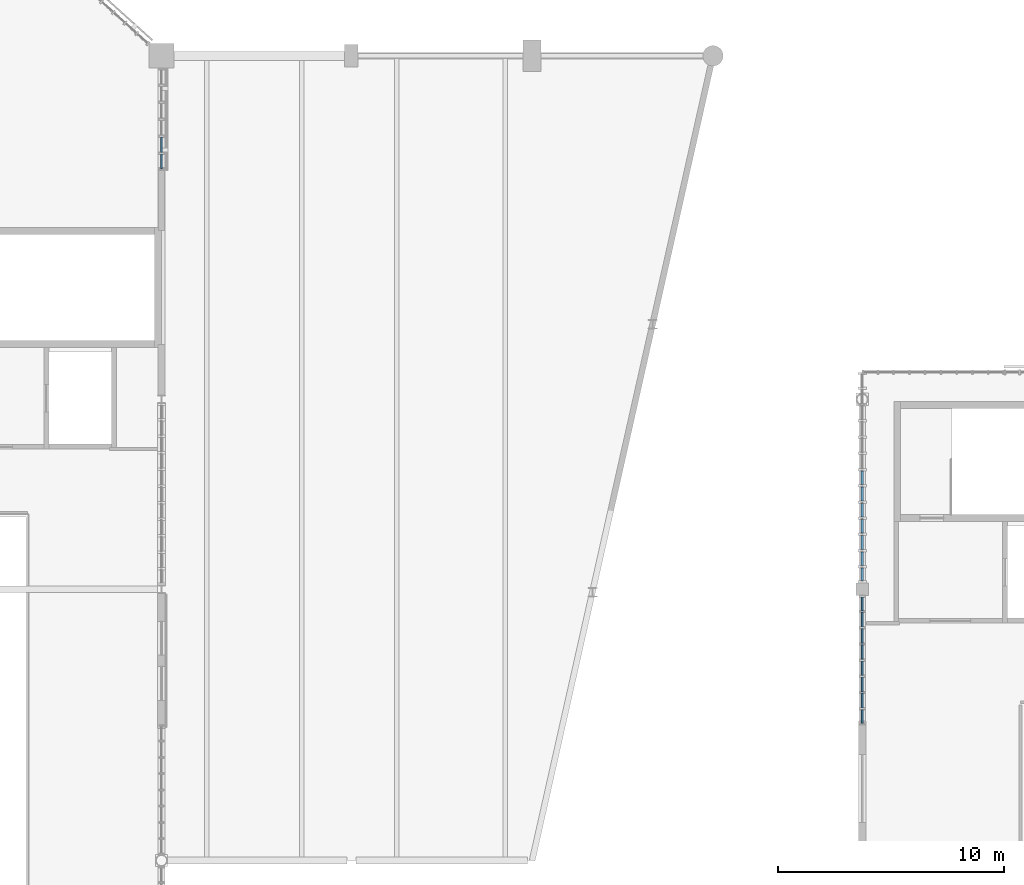
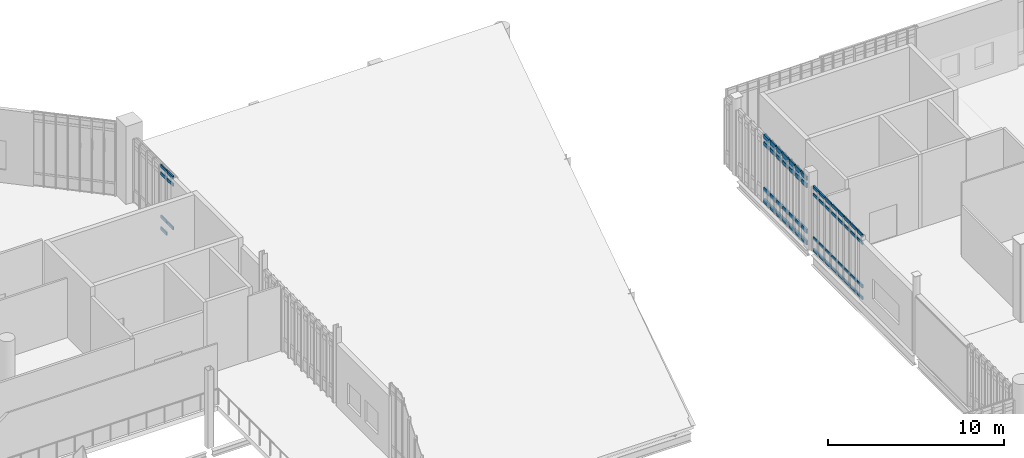
# One storey, part 59 of 135: 67 members, 3 elements without a shape of their own.
"""IFC4 building model written with IfcOpenShell, lengths in metres."""

from ifc_helpers import new_model, si_unit, direction, frame, origin, origin_2d, place, context, subcontext, project, spatial, rectangle, extrude, material, material_profile, profile_set, type_object, element, aggregate, save


model = new_model("IFC4")

# Units and contexts
model_context = context("Model", 3, precision=1e-05, world=origin(), true_north=direction((0.0, 1.0)))
body_context = subcontext(model_context, "Body", "Model", "MODEL_VIEW")
ifc_project = project(units=[si_unit("LENGTHUNIT", "METRE"), si_unit("AREAUNIT", "SQUARE_METRE"), si_unit("VOLUMEUNIT", "CUBIC_METRE"), si_unit("PLANEANGLEUNIT", "RADIAN"), si_unit("MASSUNIT", "GRAM", prefix="KILO")], contexts=[model_context])

# Site, building, storey
site_placement = place(None, origin())
site = spatial("IfcSite", under=ifc_project, at=site_placement, CompositionType="ELEMENT")
building_placement = place(site_placement, origin())
building = spatial("IfcBuilding", under=site, at=building_placement, Name="Larkvane Passage Sports Hall", CompositionType="ELEMENT")
storey_placement = place(building_placement, frame((0.0, 0.0, 16.800048828125)))
storey = spatial("IfcBuildingStorey", under=building, at=storey_placement, Name="L03", CompositionType="ELEMENT", Elevation=16.800048828125)

# Curtain wall, members
ifc_material_1 = material(Name="Thermally broken aluminium and low-E glazing", Category="aluminium")
curtain_wall_type_1 = type_object("IfcCurtainWallType", Name="CW-CLINIC", PredefinedType="USERDEFINED", material=ifc_material_1)
curtain_wall_1_placement = place(storey_placement, origin())
curtain_wall_1 = element("IfcCurtainWall", 1, at=curtain_wall_1_placement, inside=storey, type_object=curtain_wall_type_1, Name="Curtain wall CW5-L03-103", ObjectType="UNITISED CURTAIN WALL", PredefinedType="USERDEFINED")
ifc_material_2 = material(Name="Anodised aluminium 6063-T6", Category="aluminium")
ifc_material_profile_1 = material_profile(ifc_material_2, rectangle(XDim=0.110107421875, YDim=0.2900390625, at=origin_2d()), Name="ALU-TRN-110x290")
ifc_profile_set_1 = profile_set([ifc_material_profile_1], Name="Anodised aluminium 6063-T6")
member_type_1 = type_object("IfcMemberType", Name="CW-TRN-110x290", PredefinedType="USERDEFINED", material=ifc_profile_set_1)
member_1_placement = place(storey_placement, frame((124.60009765625, 75.98095703125, 0.054931640625), z_axis=(0.0, 1.0, 0.0), x_axis=(-1.0, 0.0, 0.0)))
member_1 = element("IfcMember", 2, at=member_1_placement, type_object=member_type_1, Name="CW-05 transom 1.1", ObjectType="TRANSOM", PredefinedType="USERDEFINED", context=body_context, shape_type="SweptSolid", body=[
    extrude(rectangle(XDim=0.110107421875, YDim=0.2900390625, at=origin_2d()), origin(), (0.0, 0.0, 1.0), 0.552734375),
])
member_2_placement = place(storey_placement, frame((124.60009765625, 75.98095703125, 0.849853515625), z_axis=(0.0, 1.0, 0.0), x_axis=(-1.0, 0.0, 0.0)))
member_2 = element("IfcMember", 3, at=member_2_placement, type_object=member_type_1, Name="CW-05 transom 1.2", ObjectType="TRANSOM", PredefinedType="USERDEFINED", context=body_context, shape_type="SweptSolid", body=[
    extrude(rectangle(XDim=0.110107421875, YDim=0.2900390625, at=origin_2d()), origin(), (0.0, 0.0, 1.0), 0.552734375),
])
member_3_placement = place(storey_placement, frame((124.60009765625, 75.98095703125, 4.01806640625), z_axis=(0.0, 1.0, 0.0), x_axis=(-1.0, 0.0, 0.0)))
member_3 = element("IfcMember", 4, at=member_3_placement, type_object=member_type_1, Name="CW-05 transom 1.3", ObjectType="TRANSOM", PredefinedType="USERDEFINED", context=body_context, shape_type="SweptSolid", body=[
    extrude(rectangle(XDim=0.110107421875, YDim=0.2900390625, at=origin_2d()), origin(), (0.0, 0.0, 1.0), 0.552734375),
])
member_4_placement = place(storey_placement, frame((124.60009765625, 75.98095703125, 4.512939453125), z_axis=(0.0, 1.0, 0.0), x_axis=(-1.0, 0.0, 0.0)))
member_4 = element("IfcMember", 5, at=member_4_placement, type_object=member_type_1, Name="CW-05 transom 1.4", ObjectType="TRANSOM", PredefinedType="USERDEFINED", context=body_context, shape_type="SweptSolid", body=[
    extrude(rectangle(XDim=0.110107421875, YDim=0.2900390625, at=origin_2d()), origin(), (0.0, 0.0, 1.0), 0.552734375),
])
member_5_placement = place(storey_placement, frame((124.60009765625, 76.6435546875, 0.054931640625), z_axis=(0.0, 1.0, 0.0), x_axis=(-1.0, 0.0, 0.0)))
member_5 = element("IfcMember", 6, at=member_5_placement, type_object=member_type_1, Name="CW-05 transom 2.1", ObjectType="TRANSOM", PredefinedType="USERDEFINED", context=body_context, shape_type="SweptSolid", body=[
    extrude(rectangle(XDim=0.110107421875, YDim=0.2900390625, at=origin_2d()), origin(), (0.0, 0.0, 1.0), 0.607666015625),
])
member_6_placement = place(storey_placement, frame((124.60009765625, 76.6435546875, 0.849853515625), z_axis=(0.0, 1.0, 0.0), x_axis=(-1.0, 0.0, 0.0)))
member_6 = element("IfcMember", 7, at=member_6_placement, type_object=member_type_1, Name="CW-05 transom 2.2", ObjectType="TRANSOM", PredefinedType="USERDEFINED", context=body_context, shape_type="SweptSolid", body=[
    extrude(rectangle(XDim=0.110107421875, YDim=0.2900390625, at=origin_2d()), origin(), (0.0, 0.0, 1.0), 0.607666015625),
])
member_7_placement = place(storey_placement, frame((124.60009765625, 76.6435546875, 4.01806640625), z_axis=(0.0, 1.0, 0.0), x_axis=(-1.0, 0.0, 0.0)))
member_7 = element("IfcMember", 8, at=member_7_placement, type_object=member_type_1, Name="CW-05 transom 2.3", ObjectType="TRANSOM", PredefinedType="USERDEFINED", context=body_context, shape_type="SweptSolid", body=[
    extrude(rectangle(XDim=0.110107421875, YDim=0.2900390625, at=origin_2d()), origin(), (0.0, 0.0, 1.0), 0.607666015625),
])
member_8_placement = place(storey_placement, frame((124.60009765625, 76.6435546875, 4.512939453125), z_axis=(0.0, 1.0, 0.0), x_axis=(-1.0, 0.0, 0.0)))
member_8 = element("IfcMember", 9, at=member_8_placement, type_object=member_type_1, Name="CW-05 transom 2.4", ObjectType="TRANSOM", PredefinedType="USERDEFINED", context=body_context, shape_type="SweptSolid", body=[
    extrude(rectangle(XDim=0.110107421875, YDim=0.2900390625, at=origin_2d()), origin(), (0.0, 0.0, 1.0), 0.607666015625),
])
member_9_placement = place(storey_placement, frame((124.60009765625, 77.361328125, 0.054931640625), z_axis=(0.0, 1.0, 0.0), x_axis=(-1.0, 0.0, 0.0)))
member_9 = element("IfcMember", 10, at=member_9_placement, type_object=member_type_1, Name="CW-05 transom 3.1", ObjectType="TRANSOM", PredefinedType="USERDEFINED", context=body_context, shape_type="SweptSolid", body=[
    extrude(rectangle(XDim=0.110107421875, YDim=0.2900390625, at=origin_2d()), origin(), (0.0, 0.0, 1.0), 0.607421875),
])
member_10_placement = place(storey_placement, frame((124.60009765625, 77.361328125, 0.849853515625), z_axis=(0.0, 1.0, 0.0), x_axis=(-1.0, 0.0, 0.0)))
member_10 = element("IfcMember", 11, at=member_10_placement, type_object=member_type_1, Name="CW-05 transom 3.2", ObjectType="TRANSOM", PredefinedType="USERDEFINED", context=body_context, shape_type="SweptSolid", body=[
    extrude(rectangle(XDim=0.110107421875, YDim=0.2900390625, at=origin_2d()), origin(), (0.0, 0.0, 1.0), 0.607421875),
])
member_11_placement = place(storey_placement, frame((124.60009765625, 77.361328125, 4.01806640625), z_axis=(0.0, 1.0, 0.0), x_axis=(-1.0, 0.0, 0.0)))
member_11 = element("IfcMember", 12, at=member_11_placement, type_object=member_type_1, Name="CW-05 transom 3.3", ObjectType="TRANSOM", PredefinedType="USERDEFINED", context=body_context, shape_type="SweptSolid", body=[
    extrude(rectangle(XDim=0.110107421875, YDim=0.2900390625, at=origin_2d()), origin(), (0.0, 0.0, 1.0), 0.607421875),
])
member_12_placement = place(storey_placement, frame((124.60009765625, 77.361328125, 4.512939453125), z_axis=(0.0, 1.0, 0.0), x_axis=(-1.0, 0.0, 0.0)))
member_12 = element("IfcMember", 13, at=member_12_placement, type_object=member_type_1, Name="CW-05 transom 3.4", ObjectType="TRANSOM", PredefinedType="USERDEFINED", context=body_context, shape_type="SweptSolid", body=[
    extrude(rectangle(XDim=0.110107421875, YDim=0.2900390625, at=origin_2d()), origin(), (0.0, 0.0, 1.0), 0.607421875),
])
member_13_placement = place(storey_placement, frame((124.60009765625, 78.078857421875, 0.054931640625), z_axis=(0.0, 1.0, 0.0), x_axis=(-1.0, 0.0, 0.0)))
member_13 = element("IfcMember", 14, at=member_13_placement, type_object=member_type_1, Name="CW-05 transom 4.1", ObjectType="TRANSOM", PredefinedType="USERDEFINED", context=body_context, shape_type="SweptSolid", body=[
    extrude(rectangle(XDim=0.110107421875, YDim=0.2900390625, at=origin_2d()), origin(), (0.0, 0.0, 1.0), 0.607666015625),
])
member_14_placement = place(storey_placement, frame((124.60009765625, 78.078857421875, 0.849853515625), z_axis=(0.0, 1.0, 0.0), x_axis=(-1.0, 0.0, 0.0)))
member_14 = element("IfcMember", 15, at=member_14_placement, type_object=member_type_1, Name="CW-05 transom 4.2", ObjectType="TRANSOM", PredefinedType="USERDEFINED", context=body_context, shape_type="SweptSolid", body=[
    extrude(rectangle(XDim=0.110107421875, YDim=0.2900390625, at=origin_2d()), origin(), (0.0, 0.0, 1.0), 0.607666015625),
])
member_15_placement = place(storey_placement, frame((124.60009765625, 78.078857421875, 4.01806640625), z_axis=(0.0, 1.0, 0.0), x_axis=(-1.0, 0.0, 0.0)))
member_15 = element("IfcMember", 16, at=member_15_placement, type_object=member_type_1, Name="CW-05 transom 4.3", ObjectType="TRANSOM", PredefinedType="USERDEFINED", context=body_context, shape_type="SweptSolid", body=[
    extrude(rectangle(XDim=0.110107421875, YDim=0.2900390625, at=origin_2d()), origin(), (0.0, 0.0, 1.0), 0.607666015625),
])
member_16_placement = place(storey_placement, frame((124.60009765625, 78.078857421875, 4.512939453125), z_axis=(0.0, 1.0, 0.0), x_axis=(-1.0, 0.0, 0.0)))
member_16 = element("IfcMember", 17, at=member_16_placement, type_object=member_type_1, Name="CW-05 transom 4.4", ObjectType="TRANSOM", PredefinedType="USERDEFINED", context=body_context, shape_type="SweptSolid", body=[
    extrude(rectangle(XDim=0.110107421875, YDim=0.2900390625, at=origin_2d()), origin(), (0.0, 0.0, 1.0), 0.607666015625),
])
member_17_placement = place(storey_placement, frame((124.60009765625, 78.79638671875, 0.054931640625), z_axis=(0.0, 1.0, 0.0), x_axis=(-1.0, 0.0, 0.0)))
member_17 = element("IfcMember", 18, at=member_17_placement, type_object=member_type_1, Name="CW-05 transom 5.1", ObjectType="TRANSOM", PredefinedType="USERDEFINED", context=body_context, shape_type="SweptSolid", body=[
    extrude(rectangle(XDim=0.110107421875, YDim=0.2900390625, at=origin_2d()), origin(), (0.0, 0.0, 1.0), 0.607666015625),
])
member_18_placement = place(storey_placement, frame((124.60009765625, 78.79638671875, 0.849853515625), z_axis=(0.0, 1.0, 0.0), x_axis=(-1.0, 0.0, 0.0)))
member_18 = element("IfcMember", 19, at=member_18_placement, type_object=member_type_1, Name="CW-05 transom 5.2", ObjectType="TRANSOM", PredefinedType="USERDEFINED", context=body_context, shape_type="SweptSolid", body=[
    extrude(rectangle(XDim=0.110107421875, YDim=0.2900390625, at=origin_2d()), origin(), (0.0, 0.0, 1.0), 0.607666015625),
])
member_19_placement = place(storey_placement, frame((124.60009765625, 78.79638671875, 4.01806640625), z_axis=(0.0, 1.0, 0.0), x_axis=(-1.0, 0.0, 0.0)))
member_19 = element("IfcMember", 20, at=member_19_placement, type_object=member_type_1, Name="CW-05 transom 5.3", ObjectType="TRANSOM", PredefinedType="USERDEFINED", context=body_context, shape_type="SweptSolid", body=[
    extrude(rectangle(XDim=0.110107421875, YDim=0.2900390625, at=origin_2d()), origin(), (0.0, 0.0, 1.0), 0.607666015625),
])
member_20_placement = place(storey_placement, frame((124.60009765625, 78.79638671875, 4.512939453125), z_axis=(0.0, 1.0, 0.0), x_axis=(-1.0, 0.0, 0.0)))
member_20 = element("IfcMember", 21, at=member_20_placement, type_object=member_type_1, Name="CW-05 transom 5.4", ObjectType="TRANSOM", PredefinedType="USERDEFINED", context=body_context, shape_type="SweptSolid", body=[
    extrude(rectangle(XDim=0.110107421875, YDim=0.2900390625, at=origin_2d()), origin(), (0.0, 0.0, 1.0), 0.607666015625),
])
member_21_placement = place(storey_placement, frame((124.60009765625, 79.51416015625, 0.054931640625), z_axis=(0.0, 1.0, 0.0), x_axis=(-1.0, 0.0, 0.0)))
member_21 = element("IfcMember", 22, at=member_21_placement, type_object=member_type_1, Name="CW-05 transom 6.1", ObjectType="TRANSOM", PredefinedType="USERDEFINED", context=body_context, shape_type="SweptSolid", body=[
    extrude(rectangle(XDim=0.110107421875, YDim=0.2900390625, at=origin_2d()), origin(), (0.0, 0.0, 1.0), 0.607421875),
])
member_22_placement = place(storey_placement, frame((124.60009765625, 79.51416015625, 0.849853515625), z_axis=(0.0, 1.0, 0.0), x_axis=(-1.0, 0.0, 0.0)))
member_22 = element("IfcMember", 23, at=member_22_placement, type_object=member_type_1, Name="CW-05 transom 6.2", ObjectType="TRANSOM", PredefinedType="USERDEFINED", context=body_context, shape_type="SweptSolid", body=[
    extrude(rectangle(XDim=0.110107421875, YDim=0.2900390625, at=origin_2d()), origin(), (0.0, 0.0, 1.0), 0.607421875),
])
member_23_placement = place(storey_placement, frame((124.60009765625, 79.51416015625, 4.01806640625), z_axis=(0.0, 1.0, 0.0), x_axis=(-1.0, 0.0, 0.0)))
member_23 = element("IfcMember", 24, at=member_23_placement, type_object=member_type_1, Name="CW-05 transom 6.3", ObjectType="TRANSOM", PredefinedType="USERDEFINED", context=body_context, shape_type="SweptSolid", body=[
    extrude(rectangle(XDim=0.110107421875, YDim=0.2900390625, at=origin_2d()), origin(), (0.0, 0.0, 1.0), 0.607421875),
])
member_24_placement = place(storey_placement, frame((124.60009765625, 79.51416015625, 4.512939453125), z_axis=(0.0, 1.0, 0.0), x_axis=(-1.0, 0.0, 0.0)))
member_24 = element("IfcMember", 25, at=member_24_placement, type_object=member_type_1, Name="CW-05 transom 6.4", ObjectType="TRANSOM", PredefinedType="USERDEFINED", context=body_context, shape_type="SweptSolid", body=[
    extrude(rectangle(XDim=0.110107421875, YDim=0.2900390625, at=origin_2d()), origin(), (0.0, 0.0, 1.0), 0.607421875),
])
member_25_placement = place(storey_placement, frame((124.60009765625, 80.231689453125, 0.054931640625), z_axis=(0.0, 1.0, 0.0), x_axis=(-1.0, 0.0, 0.0)))
member_25 = element("IfcMember", 26, at=member_25_placement, type_object=member_type_1, Name="CW-05 transom 7.1", ObjectType="TRANSOM", PredefinedType="USERDEFINED", context=body_context, shape_type="SweptSolid", body=[
    extrude(rectangle(XDim=0.110107421875, YDim=0.2900390625, at=origin_2d()), origin(), (0.0, 0.0, 1.0), 0.607666015625),
])
member_26_placement = place(storey_placement, frame((124.60009765625, 80.231689453125, 0.849853515625), z_axis=(0.0, 1.0, 0.0), x_axis=(-1.0, 0.0, 0.0)))
member_26 = element("IfcMember", 27, at=member_26_placement, type_object=member_type_1, Name="CW-05 transom 7.2", ObjectType="TRANSOM", PredefinedType="USERDEFINED", context=body_context, shape_type="SweptSolid", body=[
    extrude(rectangle(XDim=0.110107421875, YDim=0.2900390625, at=origin_2d()), origin(), (0.0, 0.0, 1.0), 0.607666015625),
])
member_27_placement = place(storey_placement, frame((124.60009765625, 80.231689453125, 4.01806640625), z_axis=(0.0, 1.0, 0.0), x_axis=(-1.0, 0.0, 0.0)))
member_27 = element("IfcMember", 28, at=member_27_placement, type_object=member_type_1, Name="CW-05 transom 7.3", ObjectType="TRANSOM", PredefinedType="USERDEFINED", context=body_context, shape_type="SweptSolid", body=[
    extrude(rectangle(XDim=0.110107421875, YDim=0.2900390625, at=origin_2d()), origin(), (0.0, 0.0, 1.0), 0.607666015625),
])
member_28_placement = place(storey_placement, frame((124.60009765625, 80.231689453125, 4.512939453125), z_axis=(0.0, 1.0, 0.0), x_axis=(-1.0, 0.0, 0.0)))
member_28 = element("IfcMember", 29, at=member_28_placement, type_object=member_type_1, Name="CW-05 transom 7.4", ObjectType="TRANSOM", PredefinedType="USERDEFINED", context=body_context, shape_type="SweptSolid", body=[
    extrude(rectangle(XDim=0.110107421875, YDim=0.2900390625, at=origin_2d()), origin(), (0.0, 0.0, 1.0), 0.607666015625),
])
aggregate(curtain_wall_1, [member_1, member_2, member_3, member_4, member_5, member_6, member_7, member_8, member_9, member_10, member_11, member_12, member_13, member_14, member_15, member_16, member_17, member_18, member_19, member_20, member_21, member_22, member_23, member_24, member_25, member_26, member_27, member_28])

curtain_wall_type_2 = type_object("IfcCurtainWallType", Name="CW-STICK-FOYER", PredefinedType="USERDEFINED", material=ifc_material_1)
curtain_wall_2_placement = place(storey_placement, origin())
curtain_wall_2 = element("IfcCurtainWall", 30, at=curtain_wall_2_placement, inside=storey, type_object=curtain_wall_type_2, Name="Curtain wall CW5-L03-102", ObjectType="STICK CURTAIN WALL", PredefinedType="USERDEFINED")
ifc_material_profile_2 = material_profile(ifc_material_2, rectangle(XDim=0.080078125, YDim=0.2099609375, at=origin_2d()), Name="ALU-TRN-80x210")
ifc_profile_set_2 = profile_set([ifc_material_profile_2], Name="Anodised aluminium 6063-T6")
member_type_2 = type_object("IfcMemberType", Name="CW-TRN-80x210", PredefinedType="USERDEFINED", material=ifc_profile_set_2)
member_29_placement = place(storey_placement, frame((124.60009765625, 69.679931640625, 0.0400390625), z_axis=(0.0, 1.0, 0.0), x_axis=(-1.0, 0.0, 0.0)))
member_29 = element("IfcMember", 31, at=member_29_placement, type_object=member_type_2, Name="CW-03 transom 1.1", ObjectType="TRANSOM", PredefinedType="USERDEFINED", context=body_context, shape_type="SweptSolid", body=[
    extrude(rectangle(XDim=0.080078125, YDim=0.2099609375, at=origin_2d()), origin(), (0.0, 0.0, 1.0), 0.59619140625),
])
member_30_placement = place(storey_placement, frame((124.60009765625, 69.679931640625, 0.849853515625), z_axis=(0.0, 1.0, 0.0), x_axis=(-1.0, 0.0, 0.0)))
member_30 = element("IfcMember", 32, at=member_30_placement, type_object=member_type_2, Name="CW-03 transom 1.2", ObjectType="TRANSOM", PredefinedType="USERDEFINED", context=body_context, shape_type="SweptSolid", body=[
    extrude(rectangle(XDim=0.080078125, YDim=0.2099609375, at=origin_2d()), origin(), (0.0, 0.0, 1.0), 0.59619140625),
])
member_31_placement = place(storey_placement, frame((124.60009765625, 69.679931640625, 3.85791015625), z_axis=(0.0, 1.0, 0.0), x_axis=(-1.0, 0.0, 0.0)))
member_31 = element("IfcMember", 33, at=member_31_placement, type_object=member_type_2, Name="CW-03 transom 1.3", ObjectType="TRANSOM", PredefinedType="USERDEFINED", context=body_context, shape_type="SweptSolid", body=[
    extrude(rectangle(XDim=0.080078125, YDim=0.2099609375, at=origin_2d()), origin(), (0.0, 0.0, 1.0), 0.59619140625),
])
member_32_placement = place(storey_placement, frame((124.60009765625, 69.679931640625, 4.367919921875), z_axis=(0.0, 1.0, 0.0), x_axis=(-1.0, 0.0, 0.0)))
member_32 = element("IfcMember", 34, at=member_32_placement, type_object=member_type_2, Name="CW-03 transom 1.4", ObjectType="TRANSOM", PredefinedType="USERDEFINED", context=body_context, shape_type="SweptSolid", body=[
    extrude(rectangle(XDim=0.080078125, YDim=0.2099609375, at=origin_2d()), origin(), (0.0, 0.0, 1.0), 0.59619140625),
])
member_33_placement = place(storey_placement, frame((124.60009765625, 70.356201171875, 0.0400390625), z_axis=(0.0, 1.0, 0.0), x_axis=(-1.0, 0.0, 0.0)))
member_33 = element("IfcMember", 35, at=member_33_placement, type_object=member_type_2, Name="CW-03 transom 2.1", ObjectType="TRANSOM", PredefinedType="USERDEFINED", context=body_context, shape_type="SweptSolid", body=[
    extrude(rectangle(XDim=0.080078125, YDim=0.2099609375, at=origin_2d()), origin(), (0.0, 0.0, 1.0), 0.635986328125),
])
member_34_placement = place(storey_placement, frame((124.60009765625, 70.356201171875, 0.849853515625), z_axis=(0.0, 1.0, 0.0), x_axis=(-1.0, 0.0, 0.0)))
member_34 = element("IfcMember", 36, at=member_34_placement, type_object=member_type_2, Name="CW-03 transom 2.2", ObjectType="TRANSOM", PredefinedType="USERDEFINED", context=body_context, shape_type="SweptSolid", body=[
    extrude(rectangle(XDim=0.080078125, YDim=0.2099609375, at=origin_2d()), origin(), (0.0, 0.0, 1.0), 0.635986328125),
])
member_35_placement = place(storey_placement, frame((124.60009765625, 70.356201171875, 3.85791015625), z_axis=(0.0, 1.0, 0.0), x_axis=(-1.0, 0.0, 0.0)))
member_35 = element("IfcMember", 37, at=member_35_placement, type_object=member_type_2, Name="CW-03 transom 2.3", ObjectType="TRANSOM", PredefinedType="USERDEFINED", context=body_context, shape_type="SweptSolid", body=[
    extrude(rectangle(XDim=0.080078125, YDim=0.2099609375, at=origin_2d()), origin(), (0.0, 0.0, 1.0), 0.635986328125),
])
member_36_placement = place(storey_placement, frame((124.60009765625, 70.356201171875, 4.367919921875), z_axis=(0.0, 1.0, 0.0), x_axis=(-1.0, 0.0, 0.0)))
member_36 = element("IfcMember", 38, at=member_36_placement, type_object=member_type_2, Name="CW-03 transom 2.4", ObjectType="TRANSOM", PredefinedType="USERDEFINED", context=body_context, shape_type="SweptSolid", body=[
    extrude(rectangle(XDim=0.080078125, YDim=0.2099609375, at=origin_2d()), origin(), (0.0, 0.0, 1.0), 0.635986328125),
])
member_37_placement = place(storey_placement, frame((124.60009765625, 71.072265625, 0.0400390625), z_axis=(0.0, 1.0, 0.0), x_axis=(-1.0, 0.0, 0.0)))
member_37 = element("IfcMember", 39, at=member_37_placement, type_object=member_type_2, Name="CW-03 transom 3.1", ObjectType="TRANSOM", PredefinedType="USERDEFINED", context=body_context, shape_type="SweptSolid", body=[
    extrude(rectangle(XDim=0.080078125, YDim=0.2099609375, at=origin_2d()), origin(), (0.0, 0.0, 1.0), 0.63623046875),
])
member_38_placement = place(storey_placement, frame((124.60009765625, 71.072265625, 0.849853515625), z_axis=(0.0, 1.0, 0.0), x_axis=(-1.0, 0.0, 0.0)))
member_38 = element("IfcMember", 40, at=member_38_placement, type_object=member_type_2, Name="CW-03 transom 3.2", ObjectType="TRANSOM", PredefinedType="USERDEFINED", context=body_context, shape_type="SweptSolid", body=[
    extrude(rectangle(XDim=0.080078125, YDim=0.2099609375, at=origin_2d()), origin(), (0.0, 0.0, 1.0), 0.63623046875),
])
member_39_placement = place(storey_placement, frame((124.60009765625, 71.072265625, 3.85791015625), z_axis=(0.0, 1.0, 0.0), x_axis=(-1.0, 0.0, 0.0)))
member_39 = element("IfcMember", 41, at=member_39_placement, type_object=member_type_2, Name="CW-03 transom 3.3", ObjectType="TRANSOM", PredefinedType="USERDEFINED", context=body_context, shape_type="SweptSolid", body=[
    extrude(rectangle(XDim=0.080078125, YDim=0.2099609375, at=origin_2d()), origin(), (0.0, 0.0, 1.0), 0.63623046875),
])
member_40_placement = place(storey_placement, frame((124.60009765625, 71.072265625, 4.367919921875), z_axis=(0.0, 1.0, 0.0), x_axis=(-1.0, 0.0, 0.0)))
member_40 = element("IfcMember", 42, at=member_40_placement, type_object=member_type_2, Name="CW-03 transom 3.4", ObjectType="TRANSOM", PredefinedType="USERDEFINED", context=body_context, shape_type="SweptSolid", body=[
    extrude(rectangle(XDim=0.080078125, YDim=0.2099609375, at=origin_2d()), origin(), (0.0, 0.0, 1.0), 0.63623046875),
])
member_41_placement = place(storey_placement, frame((124.60009765625, 71.788330078125, 0.0400390625), z_axis=(0.0, 1.0, 0.0), x_axis=(-1.0, 0.0, 0.0)))
member_41 = element("IfcMember", 43, at=member_41_placement, type_object=member_type_2, Name="CW-03 transom 4.1", ObjectType="TRANSOM", PredefinedType="USERDEFINED", context=body_context, shape_type="SweptSolid", body=[
    extrude(rectangle(XDim=0.080078125, YDim=0.2099609375, at=origin_2d()), origin(), (0.0, 0.0, 1.0), 0.63623046875),
])
member_42_placement = place(storey_placement, frame((124.60009765625, 71.788330078125, 0.849853515625), z_axis=(0.0, 1.0, 0.0), x_axis=(-1.0, 0.0, 0.0)))
member_42 = element("IfcMember", 44, at=member_42_placement, type_object=member_type_2, Name="CW-03 transom 4.2", ObjectType="TRANSOM", PredefinedType="USERDEFINED", context=body_context, shape_type="SweptSolid", body=[
    extrude(rectangle(XDim=0.080078125, YDim=0.2099609375, at=origin_2d()), origin(), (0.0, 0.0, 1.0), 0.63623046875),
])
member_43_placement = place(storey_placement, frame((124.60009765625, 71.788330078125, 3.85791015625), z_axis=(0.0, 1.0, 0.0), x_axis=(-1.0, 0.0, 0.0)))
member_43 = element("IfcMember", 45, at=member_43_placement, type_object=member_type_2, Name="CW-03 transom 4.3", ObjectType="TRANSOM", PredefinedType="USERDEFINED", context=body_context, shape_type="SweptSolid", body=[
    extrude(rectangle(XDim=0.080078125, YDim=0.2099609375, at=origin_2d()), origin(), (0.0, 0.0, 1.0), 0.63623046875),
])
member_44_placement = place(storey_placement, frame((124.60009765625, 71.788330078125, 4.367919921875), z_axis=(0.0, 1.0, 0.0), x_axis=(-1.0, 0.0, 0.0)))
member_44 = element("IfcMember", 46, at=member_44_placement, type_object=member_type_2, Name="CW-03 transom 4.4", ObjectType="TRANSOM", PredefinedType="USERDEFINED", context=body_context, shape_type="SweptSolid", body=[
    extrude(rectangle(XDim=0.080078125, YDim=0.2099609375, at=origin_2d()), origin(), (0.0, 0.0, 1.0), 0.63623046875),
])
member_45_placement = place(storey_placement, frame((124.60009765625, 72.50439453125, 0.0400390625), z_axis=(0.0, 1.0, 0.0), x_axis=(-1.0, 0.0, 0.0)))
member_45 = element("IfcMember", 47, at=member_45_placement, type_object=member_type_2, Name="CW-03 transom 5.1", ObjectType="TRANSOM", PredefinedType="USERDEFINED", context=body_context, shape_type="SweptSolid", body=[
    extrude(rectangle(XDim=0.080078125, YDim=0.2099609375, at=origin_2d()), origin(), (0.0, 0.0, 1.0), 0.63623046875),
])
member_46_placement = place(storey_placement, frame((124.60009765625, 72.50439453125, 0.849853515625), z_axis=(0.0, 1.0, 0.0), x_axis=(-1.0, 0.0, 0.0)))
member_46 = element("IfcMember", 48, at=member_46_placement, type_object=member_type_2, Name="CW-03 transom 5.2", ObjectType="TRANSOM", PredefinedType="USERDEFINED", context=body_context, shape_type="SweptSolid", body=[
    extrude(rectangle(XDim=0.080078125, YDim=0.2099609375, at=origin_2d()), origin(), (0.0, 0.0, 1.0), 0.63623046875),
])
member_47_placement = place(storey_placement, frame((124.60009765625, 72.50439453125, 3.85791015625), z_axis=(0.0, 1.0, 0.0), x_axis=(-1.0, 0.0, 0.0)))
member_47 = element("IfcMember", 49, at=member_47_placement, type_object=member_type_2, Name="CW-03 transom 5.3", ObjectType="TRANSOM", PredefinedType="USERDEFINED", context=body_context, shape_type="SweptSolid", body=[
    extrude(rectangle(XDim=0.080078125, YDim=0.2099609375, at=origin_2d()), origin(), (0.0, 0.0, 1.0), 0.63623046875),
])
member_48_placement = place(storey_placement, frame((124.60009765625, 72.50439453125, 4.367919921875), z_axis=(0.0, 1.0, 0.0), x_axis=(-1.0, 0.0, 0.0)))
member_48 = element("IfcMember", 50, at=member_48_placement, type_object=member_type_2, Name="CW-03 transom 5.4", ObjectType="TRANSOM", PredefinedType="USERDEFINED", context=body_context, shape_type="SweptSolid", body=[
    extrude(rectangle(XDim=0.080078125, YDim=0.2099609375, at=origin_2d()), origin(), (0.0, 0.0, 1.0), 0.63623046875),
])
member_49_placement = place(storey_placement, frame((124.60009765625, 73.220703125, 0.0400390625), z_axis=(0.0, 1.0, 0.0), x_axis=(-1.0, 0.0, 0.0)))
member_49 = element("IfcMember", 51, at=member_49_placement, type_object=member_type_2, Name="CW-03 transom 6.1", ObjectType="TRANSOM", PredefinedType="USERDEFINED", context=body_context, shape_type="SweptSolid", body=[
    extrude(rectangle(XDim=0.080078125, YDim=0.2099609375, at=origin_2d()), origin(), (0.0, 0.0, 1.0), 0.635986328125),
])
member_50_placement = place(storey_placement, frame((124.60009765625, 73.220703125, 0.849853515625), z_axis=(0.0, 1.0, 0.0), x_axis=(-1.0, 0.0, 0.0)))
member_50 = element("IfcMember", 52, at=member_50_placement, type_object=member_type_2, Name="CW-03 transom 6.2", ObjectType="TRANSOM", PredefinedType="USERDEFINED", context=body_context, shape_type="SweptSolid", body=[
    extrude(rectangle(XDim=0.080078125, YDim=0.2099609375, at=origin_2d()), origin(), (0.0, 0.0, 1.0), 0.635986328125),
])
member_51_placement = place(storey_placement, frame((124.60009765625, 73.220703125, 3.85791015625), z_axis=(0.0, 1.0, 0.0), x_axis=(-1.0, 0.0, 0.0)))
member_51 = element("IfcMember", 53, at=member_51_placement, type_object=member_type_2, Name="CW-03 transom 6.3", ObjectType="TRANSOM", PredefinedType="USERDEFINED", context=body_context, shape_type="SweptSolid", body=[
    extrude(rectangle(XDim=0.080078125, YDim=0.2099609375, at=origin_2d()), origin(), (0.0, 0.0, 1.0), 0.635986328125),
])
member_52_placement = place(storey_placement, frame((124.60009765625, 73.220703125, 4.367919921875), z_axis=(0.0, 1.0, 0.0), x_axis=(-1.0, 0.0, 0.0)))
member_52 = element("IfcMember", 54, at=member_52_placement, type_object=member_type_2, Name="CW-03 transom 6.4", ObjectType="TRANSOM", PredefinedType="USERDEFINED", context=body_context, shape_type="SweptSolid", body=[
    extrude(rectangle(XDim=0.080078125, YDim=0.2099609375, at=origin_2d()), origin(), (0.0, 0.0, 1.0), 0.635986328125),
])
member_53_placement = place(storey_placement, frame((124.60009765625, 73.936767578125, 0.0400390625), z_axis=(0.0, 1.0, 0.0), x_axis=(-1.0, 0.0, 0.0)))
member_53 = element("IfcMember", 55, at=member_53_placement, type_object=member_type_2, Name="CW-03 transom 7.1", ObjectType="TRANSOM", PredefinedType="USERDEFINED", context=body_context, shape_type="SweptSolid", body=[
    extrude(rectangle(XDim=0.080078125, YDim=0.2099609375, at=origin_2d()), origin(), (0.0, 0.0, 1.0), 0.635986328125),
])
member_54_placement = place(storey_placement, frame((124.60009765625, 73.936767578125, 0.849853515625), z_axis=(0.0, 1.0, 0.0), x_axis=(-1.0, 0.0, 0.0)))
member_54 = element("IfcMember", 56, at=member_54_placement, type_object=member_type_2, Name="CW-03 transom 7.2", ObjectType="TRANSOM", PredefinedType="USERDEFINED", context=body_context, shape_type="SweptSolid", body=[
    extrude(rectangle(XDim=0.080078125, YDim=0.2099609375, at=origin_2d()), origin(), (0.0, 0.0, 1.0), 0.635986328125),
])
member_55_placement = place(storey_placement, frame((124.60009765625, 73.936767578125, 3.85791015625), z_axis=(0.0, 1.0, 0.0), x_axis=(-1.0, 0.0, 0.0)))
member_55 = element("IfcMember", 57, at=member_55_placement, type_object=member_type_2, Name="CW-03 transom 7.3", ObjectType="TRANSOM", PredefinedType="USERDEFINED", context=body_context, shape_type="SweptSolid", body=[
    extrude(rectangle(XDim=0.080078125, YDim=0.2099609375, at=origin_2d()), origin(), (0.0, 0.0, 1.0), 0.635986328125),
])
member_56_placement = place(storey_placement, frame((124.60009765625, 73.936767578125, 4.367919921875), z_axis=(0.0, 1.0, 0.0), x_axis=(-1.0, 0.0, 0.0)))
member_56 = element("IfcMember", 58, at=member_56_placement, type_object=member_type_2, Name="CW-03 transom 7.4", ObjectType="TRANSOM", PredefinedType="USERDEFINED", context=body_context, shape_type="SweptSolid", body=[
    extrude(rectangle(XDim=0.080078125, YDim=0.2099609375, at=origin_2d()), origin(), (0.0, 0.0, 1.0), 0.635986328125),
])
member_57_placement = place(storey_placement, frame((124.60009765625, 74.65283203125, 0.0400390625), z_axis=(0.0, 1.0, 0.0), x_axis=(-1.0, 0.0, 0.0)))
member_57 = element("IfcMember", 59, at=member_57_placement, type_object=member_type_2, Name="CW-03 transom 8.1", ObjectType="TRANSOM", PredefinedType="USERDEFINED", context=body_context, shape_type="SweptSolid", body=[
    extrude(rectangle(XDim=0.080078125, YDim=0.2099609375, at=origin_2d()), origin(), (0.0, 0.0, 1.0), 0.59619140625),
])
member_58_placement = place(storey_placement, frame((124.60009765625, 74.65283203125, 0.849853515625), z_axis=(0.0, 1.0, 0.0), x_axis=(-1.0, 0.0, 0.0)))
member_58 = element("IfcMember", 60, at=member_58_placement, type_object=member_type_2, Name="CW-03 transom 8.2", ObjectType="TRANSOM", PredefinedType="USERDEFINED", context=body_context, shape_type="SweptSolid", body=[
    extrude(rectangle(XDim=0.080078125, YDim=0.2099609375, at=origin_2d()), origin(), (0.0, 0.0, 1.0), 0.59619140625),
])
member_59_placement = place(storey_placement, frame((124.60009765625, 74.65283203125, 3.85791015625), z_axis=(0.0, 1.0, 0.0), x_axis=(-1.0, 0.0, 0.0)))
member_59 = element("IfcMember", 61, at=member_59_placement, type_object=member_type_2, Name="CW-03 transom 8.3", ObjectType="TRANSOM", PredefinedType="USERDEFINED", context=body_context, shape_type="SweptSolid", body=[
    extrude(rectangle(XDim=0.080078125, YDim=0.2099609375, at=origin_2d()), origin(), (0.0, 0.0, 1.0), 0.59619140625),
])
member_60_placement = place(storey_placement, frame((124.60009765625, 74.65283203125, 4.367919921875), z_axis=(0.0, 1.0, 0.0), x_axis=(-1.0, 0.0, 0.0)))
member_60 = element("IfcMember", 62, at=member_60_placement, type_object=member_type_2, Name="CW-03 transom 8.4", ObjectType="TRANSOM", PredefinedType="USERDEFINED", context=body_context, shape_type="SweptSolid", body=[
    extrude(rectangle(XDim=0.080078125, YDim=0.2099609375, at=origin_2d()), origin(), (0.0, 0.0, 1.0), 0.59619140625),
])
aggregate(curtain_wall_2, [member_29, member_30, member_31, member_32, member_33, member_34, member_35, member_36, member_37, member_38, member_39, member_40, member_41, member_42, member_43, member_44, member_45, member_46, member_47, member_48, member_49, member_50, member_51, member_52, member_53, member_54, member_55, member_56, member_57, member_58, member_59, member_60])

curtain_wall_3_placement = place(storey_placement, origin())
curtain_wall_3 = element("IfcCurtainWall", 63, at=curtain_wall_3_placement, inside=storey, type_object=curtain_wall_type_2, Name="Curtain wall CW5-L03-142", ObjectType="STICK CURTAIN WALL", PredefinedType="USERDEFINED")
member_61_placement = place(storey_placement, frame((93.60009765625, 95.60009765625, 0.0400390625), z_axis=(0.0, -1.0, 0.0), x_axis=(1.0, 0.0, 0.0)))
member_61 = element("IfcMember", 64, at=member_61_placement, type_object=member_type_2, Name="CW-03 transom 5.1", ObjectType="TRANSOM", PredefinedType="USERDEFINED", context=body_context, shape_type="SweptSolid", body=[
    extrude(rectangle(XDim=0.080078125, YDim=0.2099609375, at=origin_2d()), origin(), (0.0, 0.0, 1.0), 0.67333984375),
])
member_62_placement = place(storey_placement, frame((93.60009765625, 95.60009765625, 0.849853515625), z_axis=(0.0, -1.0, 0.0), x_axis=(1.0, 0.0, 0.0)))
member_62 = element("IfcMember", 65, at=member_62_placement, type_object=member_type_2, Name="CW-03 transom 5.2", ObjectType="TRANSOM", PredefinedType="USERDEFINED", context=body_context, shape_type="SweptSolid", body=[
    extrude(rectangle(XDim=0.080078125, YDim=0.2099609375, at=origin_2d()), origin(), (0.0, 0.0, 1.0), 0.67333984375),
])
member_63_placement = place(storey_placement, frame((93.60009765625, 95.60009765625, 3.85791015625), z_axis=(0.0, -1.0, 0.0), x_axis=(1.0, 0.0, 0.0)))
member_63 = element("IfcMember", 66, at=member_63_placement, type_object=member_type_2, Name="CW-03 transom 5.3", ObjectType="TRANSOM", PredefinedType="USERDEFINED", context=body_context, shape_type="SweptSolid", body=[
    extrude(rectangle(XDim=0.080078125, YDim=0.2099609375, at=origin_2d()), origin(), (0.0, 0.0, 1.0), 0.67333984375),
])
member_64_placement = place(storey_placement, frame((93.60009765625, 95.60009765625, 4.367919921875), z_axis=(0.0, -1.0, 0.0), x_axis=(1.0, 0.0, 0.0)))
member_64 = element("IfcMember", 67, at=member_64_placement, type_object=member_type_2, Name="CW-03 transom 5.4", ObjectType="TRANSOM", PredefinedType="USERDEFINED", context=body_context, shape_type="SweptSolid", body=[
    extrude(rectangle(XDim=0.080078125, YDim=0.2099609375, at=origin_2d()), origin(), (0.0, 0.0, 1.0), 0.67333984375),
])
member_65_placement = place(storey_placement, frame((93.60009765625, 94.8466796875, 0.849853515625), z_axis=(0.0, -1.0, 0.0), x_axis=(1.0, 0.0, 0.0)))
member_65 = element("IfcMember", 68, at=member_65_placement, type_object=member_type_2, Name="CW-03 transom 6.2", ObjectType="TRANSOM", PredefinedType="USERDEFINED", context=body_context, shape_type="SweptSolid", body=[
    extrude(rectangle(XDim=0.080078125, YDim=0.2099609375, at=origin_2d()), origin(), (0.0, 0.0, 1.0), 0.63330078125),
])
member_66_placement = place(storey_placement, frame((93.60009765625, 94.8466796875, 3.85791015625), z_axis=(0.0, -1.0, 0.0), x_axis=(1.0, 0.0, 0.0)))
member_66 = element("IfcMember", 69, at=member_66_placement, type_object=member_type_2, Name="CW-03 transom 6.3", ObjectType="TRANSOM", PredefinedType="USERDEFINED", context=body_context, shape_type="SweptSolid", body=[
    extrude(rectangle(XDim=0.080078125, YDim=0.2099609375, at=origin_2d()), origin(), (0.0, 0.0, 1.0), 0.63330078125),
])
member_67_placement = place(storey_placement, frame((93.60009765625, 94.8466796875, 4.367919921875), z_axis=(0.0, -1.0, 0.0), x_axis=(1.0, 0.0, 0.0)))
member_67 = element("IfcMember", 70, at=member_67_placement, type_object=member_type_2, Name="CW-03 transom 6.4", ObjectType="TRANSOM", PredefinedType="USERDEFINED", context=body_context, shape_type="SweptSolid", body=[
    extrude(rectangle(XDim=0.080078125, YDim=0.2099609375, at=origin_2d()), origin(), (0.0, 0.0, 1.0), 0.63330078125),
])
aggregate(curtain_wall_3, [member_61, member_62, member_63, member_64, member_65, member_66, member_67])

save(model, "model.ifc")
